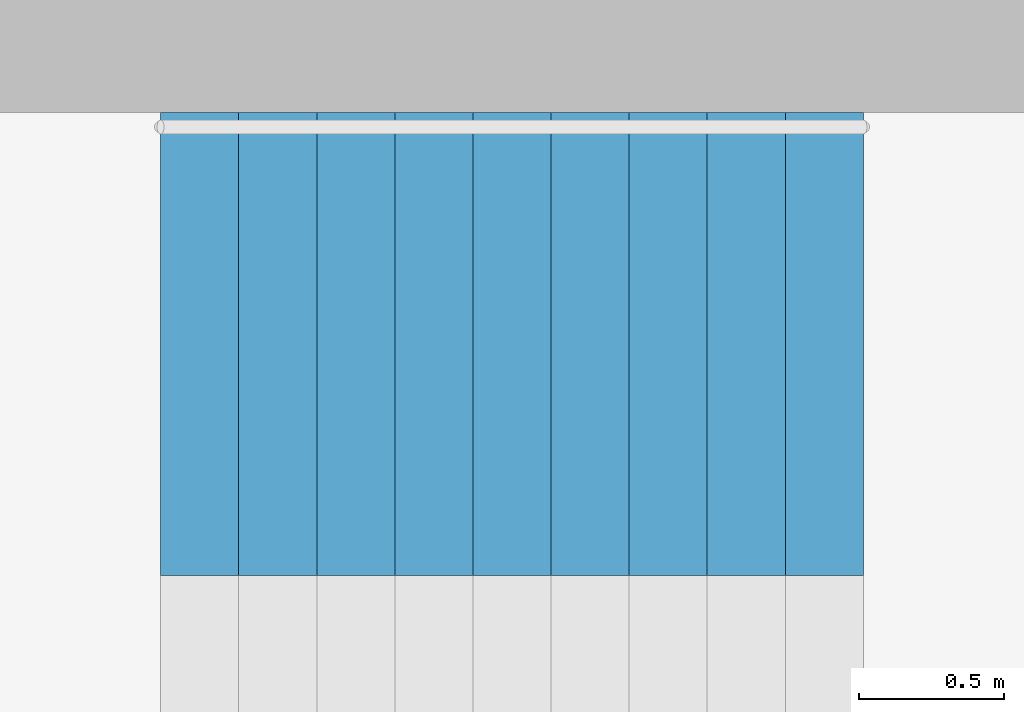
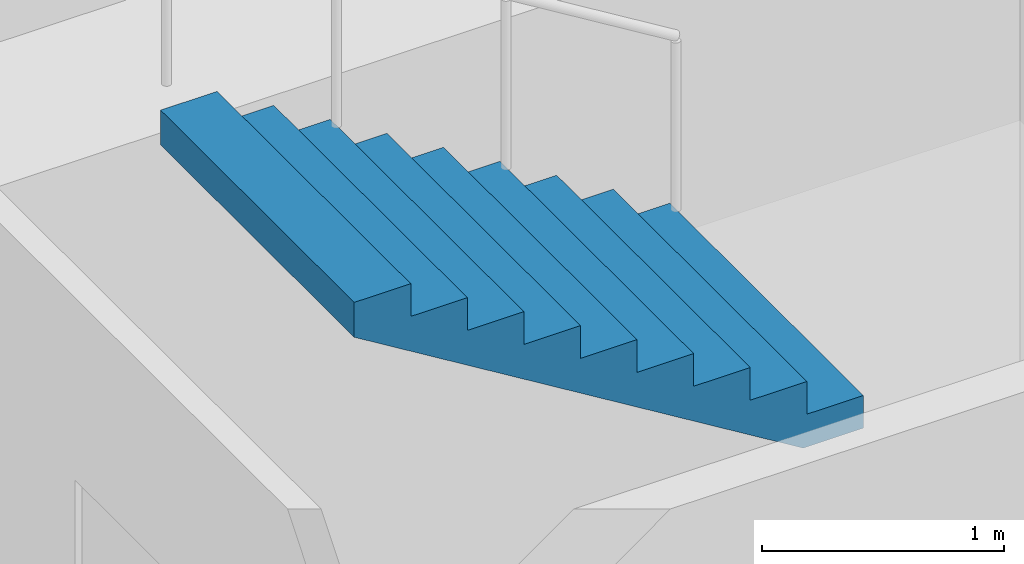
# One storey, part 10 of 13: 1 stair flight, 1 element without a shape of its own.
"""IFC4 building model written with IfcOpenShell, lengths in metres."""

from ifc_helpers import new_model, si_unit, direction, frame, origin, place, context, subcontext, project, spatial, polyline, outline, extrude, material, type_object, element, aggregate, save


model = new_model("IFC4")

# Units and contexts
model_context = context("Model", 3, precision=1e-05, world=origin(), true_north=direction((0.0, 1.0)))
body_context = subcontext(model_context, "Body", "Model", "MODEL_VIEW")
ifc_project = project(units=[si_unit("LENGTHUNIT", "METRE"), si_unit("AREAUNIT", "SQUARE_METRE"), si_unit("VOLUMEUNIT", "CUBIC_METRE"), si_unit("PLANEANGLEUNIT", "RADIAN"), si_unit("MASSUNIT", "GRAM", prefix="KILO")], contexts=[model_context])

# Site, building, storey
site_placement = place(None, origin())
site = spatial("IfcSite", under=ifc_project, at=site_placement, CompositionType="ELEMENT")
building_placement = place(site_placement, origin())
building = spatial("IfcBuilding", under=site, at=building_placement, Name="Taillehof Tower", CompositionType="ELEMENT")
storey_placement = place(building_placement, frame((0.0, 0.0, 31.60009765625)))
storey = spatial("IfcBuildingStorey", under=building, at=storey_placement, Name="L07", CompositionType="ELEMENT", Elevation=31.60009765625)

# Stair, stair flight
ifc_material_1 = material(Name="Concrete C40/50", Category="concrete")
stair_type = type_object("IfcStairType", Name="Exit stair half-turn", PredefinedType="HALF_TURN_STAIR", material=ifc_material_1)
stair_placement = place(storey_placement, origin())
stair = element("IfcStair", 1, at=stair_placement, inside=storey, type_object=stair_type, Name="Exit stair S1", PredefinedType="HALF_TURN_STAIR")
ifc_material_2 = material(Name="Concrete C40/50", Category="concrete")
stair_flight_type = type_object("IfcStairFlightType", Name="Stair flight 1600 riser 165.0 going 270", PredefinedType="STRAIGHT", material=ifc_material_2)
stair_flight_placement = place(storey_placement, frame((9.429931640625, 8.300048828125, 1.64990234375), z_axis=(0.0, 0.0, 1.0), x_axis=(-1.0, 0.0, 0.0)))
stair_flight = element("IfcStairFlight", 2, at=stair_flight_placement, type_object=stair_flight_type, Name="S1 flight 2", NumberOfRisers=10, NumberOfTreads=9, PredefinedType="STRAIGHT", RiserHeight=0.165, TreadLength=0.27, context=body_context, shape_type="SweptSolid", body=[
    extrude(outline(polyline([(0.0, 0.0), (0.0, 0.00537109375), (0.0, 0.0107421875), (0.0, 0.015869140625), (0.0, 0.021240234375), (0.0, 0.026611328125), (0.0, 0.031982421875), (0.0, 0.037353515625), (0.0, 0.04248046875), (0.0, 0.0478515625), (0.0, 0.05322265625), (0.0, 0.05859375), (0.0, 0.06396484375), (0.0, 0.069091796875), (0.0, 0.074462890625), (0.0, 0.079833984375), (0.0, 0.085205078125), (0.0, 0.090576171875), (0.0, 0.095703125), (0.0, 0.10107421875), (0.0, 0.1064453125), (0.0, 0.11181640625), (0.0, 0.1171875), (0.0, 0.122314453125), (0.0, 0.127685546875), (0.0, 0.133056640625), (0.0, 0.138427734375), (0.0, 0.143798828125), (0.0, 0.14892578125), (0.0, 0.154296875), (0.0, 0.15966796875), (0.0, 0.1650390625), (0.27001953125, 0.1650390625), (0.27001953125, 0.330078125), (0.5400390625, 0.330078125), (0.5400390625, 0.4951171875), (0.81005859375, 0.4951171875), (0.81005859375, 0.659912109375), (1.080078125, 0.659912109375), (1.080078125, 0.824951171875), (1.35009765625, 0.824951171875), (1.35009765625, 0.989990234375), (1.6201171875, 0.989990234375), (1.6201171875, 1.155029296875), (1.889892578125, 1.155029296875), (1.889892578125, 1.320068359375), (2.159912109375, 1.320068359375), (2.159912109375, 1.485107421875), (2.429931640625, 1.485107421875), (2.429931640625, 1.479248046875), (2.429931640625, 1.4736328125), (2.429931640625, 1.468017578125), (2.429931640625, 1.46240234375), (2.429931640625, 1.45654296875), (2.429931640625, 1.450927734375), (2.429931640625, 1.4453125), (2.429931640625, 1.439697265625), (2.429931640625, 1.43408203125), (2.429931640625, 1.42822265625), (2.429931640625, 1.422607421875), (2.429931640625, 1.4169921875), (2.429931640625, 1.411376953125), (2.429931640625, 1.40576171875), (2.429931640625, 1.39990234375), (2.429931640625, 1.394287109375), (2.429931640625, 1.388671875), (2.429931640625, 1.383056640625), (2.429931640625, 1.37744140625), (2.429931640625, 1.37158203125), (2.429931640625, 1.365966796875), (2.429931640625, 1.3603515625), (2.429931640625, 1.354736328125), (2.429931640625, 1.348876953125), (2.429931640625, 1.34326171875), (2.429931640625, 1.337646484375), (2.429931640625, 1.33203125), (2.429931640625, 1.326416015625), (2.429931640625, 1.320556640625), (2.429931640625, 1.31494140625), (2.429931640625, 1.309326171875), (0.287353515625, 0.0), (0.0, 0.0)])), frame((0.0, 0.800048828125, 0.0), z_axis=(0.0, -1.0, 0.0), x_axis=(1.0, 0.0, 0.0)), (0.0, 0.0, 1.0), 1.6),
])
aggregate(stair, [stair_flight])

save(model, "model.ifc")
